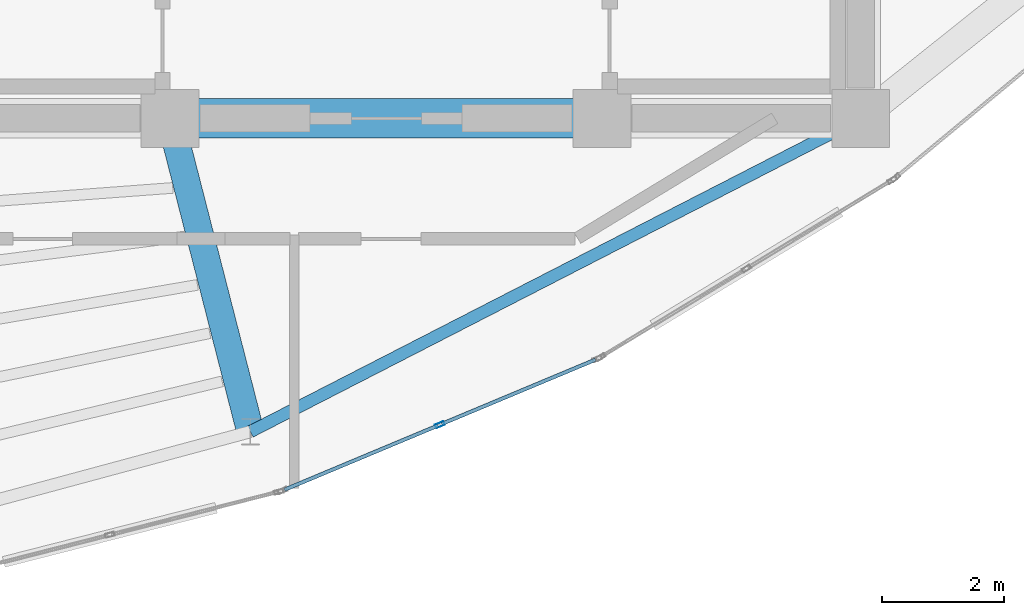
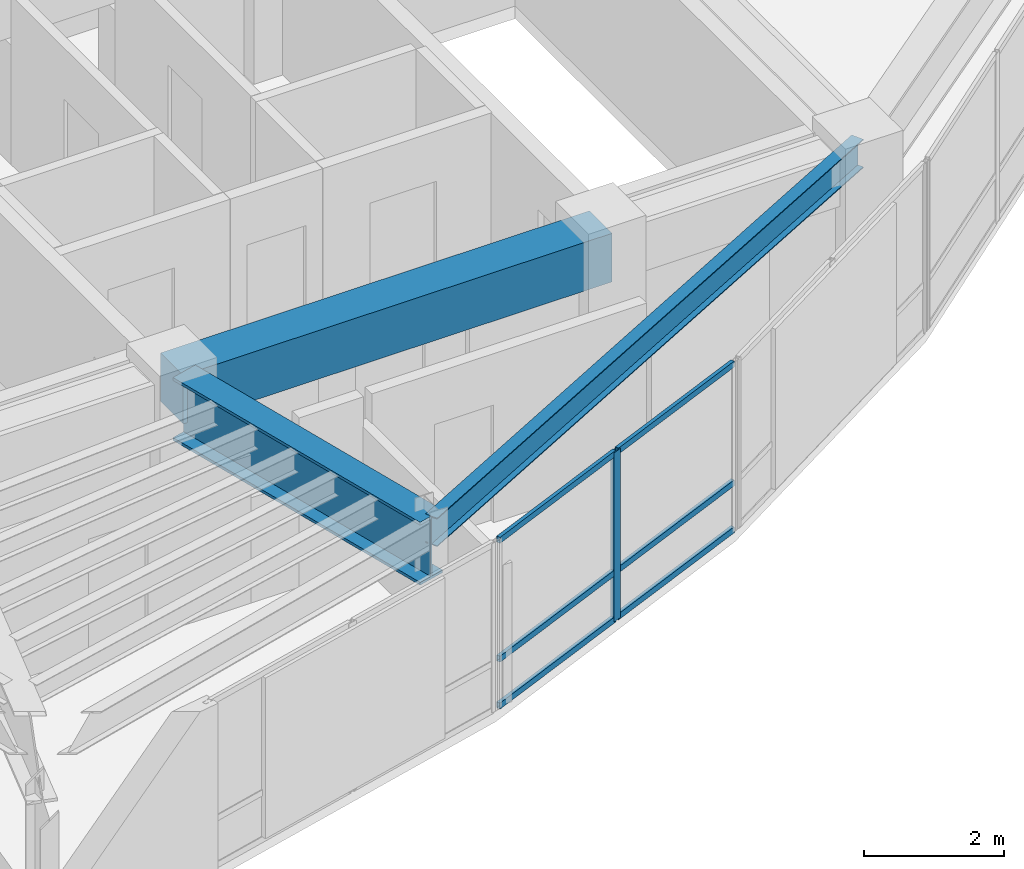
# One storey, part 3 of 13: 7 members, 3 beams, 1 element without a shape of its own.
"""IFC4 building model written with IfcOpenShell, lengths in metres."""

from ifc_helpers import new_model, si_unit, direction, frame, origin, origin_2d, place, context, subcontext, project, spatial, rectangle, hollow_rectangle, i_section, extrude, material, layer, layer_set, material_profile, profile_set, type_object, element, aggregate, save


model = new_model("IFC4")

# Units and contexts
model_context = context("Model", 3, precision=1e-05, world=origin(), true_north=direction((0.0, 1.0)))
body_context = subcontext(model_context, "Body", "Model", "MODEL_VIEW")
ifc_project = project(units=[si_unit("LENGTHUNIT", "METRE"), si_unit("AREAUNIT", "SQUARE_METRE"), si_unit("VOLUMEUNIT", "CUBIC_METRE"), si_unit("PLANEANGLEUNIT", "RADIAN"), si_unit("MASSUNIT", "GRAM", prefix="KILO")], contexts=[model_context])

# Site, building, storey
site_placement = place(None, origin())
site = spatial("IfcSite", under=ifc_project, at=site_placement, CompositionType="ELEMENT")
building_placement = place(site_placement, origin())
building = spatial("IfcBuilding", under=site, at=building_placement, Name="Menara Vayukalpa", CompositionType="ELEMENT")
storey_placement = place(building_placement, frame((0.0, 0.0, 315.219970703125)))
storey = spatial("IfcBuildingStorey", under=building, at=storey_placement, Name="L81", CompositionType="ELEMENT", Elevation=315.219970703125)

# Beams
ifc_material_1 = material(Name="Concrete C60/75", Category="concrete")
ifc_material_profile_1 = material_profile(ifc_material_1, rectangle(XDim=0.64990234375, YDim=0.85009765625, at=origin_2d()), Name="RC 650x850")
ifc_profile_set_1 = profile_set([ifc_material_profile_1], Name="Concrete C60/75")
beam_type_1 = type_object("IfcBeamType", Name="BM-CB1", PredefinedType="BEAM", material=ifc_profile_set_1)
beam_1_placement = place(storey_placement, frame((22.050048828125, 17.199951171875, 2.534912109375), z_axis=(1.0, 0.0, 0.0), x_axis=(0.0, 1.0, 0.0)))
element("IfcBeam", 1, at=beam_1_placement, inside=storey, type_object=beam_type_1, Name="L81 Core Tie Beam CBR2", PredefinedType="BEAM", context=body_context, shape_type="SweptSolid", body=[
    extrude(rectangle(XDim=0.64990234375, YDim=0.85009765625, at=origin_2d()), origin(), (0.0, 0.0, 1.0), 7.099853515625),
])
ifc_material_2 = material(Name="Steel S460", Category="steel")
ifc_material_profile_2 = material_profile(ifc_material_2, i_section(OverallWidth=0.449951171875, OverallDepth=1.10009765625, WebThickness=0.02490234375, FlangeThickness=0.050048828125, at=origin_2d()), Name="WG 1100x450x25x50")
ifc_profile_set_2 = profile_set([ifc_material_profile_2], Name="Steel S460")
beam_type_2 = type_object("IfcBeamType", Name="BM-MTG1", PredefinedType="BEAM", material=ifc_profile_set_2)
beam_2_placement = place(storey_placement, frame((22.112060546875, 16.957763671875, 2.409912109375), z_axis=(0.248427525231, -0.968650486351, 0.0), x_axis=(0.968650486351, 0.248427525231, 0.0)))
element("IfcBeam", 2, at=beam_2_placement, inside=storey, type_object=beam_type_2, Name="L81 Primary Radial Girder RG08", PredefinedType="BEAM", context=body_context, shape_type="SweptSolid", body=[
    extrude(i_section(OverallWidth=0.449951171875, OverallDepth=1.10009765625, WebThickness=0.02490234375, FlangeThickness=0.050048828125, at=origin_2d()), origin(), (0.0, 0.0, 1.0), 5.066162109375),
])
ifc_material_3 = material(Name="Steel S355", Category="steel")
ifc_material_profile_3 = material_profile(ifc_material_3, i_section(OverallWidth=0.199951171875, OverallDepth=0.5, WebThickness=0.010009765625, FlangeThickness=0.01611328125, at=origin_2d()), Name="WF 500x200x10x16")
ifc_profile_set_3 = profile_set([ifc_material_profile_3], Name="Steel S355")
beam_type_3 = type_object("IfcBeamType", Name="BM-SP3", PredefinedType="SPANDREL", material=ifc_profile_set_3)
beam_3_placement = place(storey_placement, frame((23.37060546875, 12.050537109375, 2.7099609375), z_axis=(0.889594604964, 0.456750959297, 0.0), x_axis=(-0.456750959297, 0.889594604964, 0.0)))
element("IfcBeam", 3, at=beam_3_placement, inside=storey, type_object=beam_type_3, Name="L81 Perimeter Spandrel Beam SP08", PredefinedType="SPANDREL", context=body_context, shape_type="SweptSolid", body=[
    extrude(i_section(OverallWidth=0.199951171875, OverallDepth=0.5, WebThickness=0.010009765625, FlangeThickness=0.01611328125, at=origin_2d()), origin(), (0.0, 0.0, 1.0), 11.27392578125),
])

# Curtain wall, members
ifc_material_4 = material(Name="Anodised Terracotta Aluminium Alloy 6063-T6", Category="masonry")
ifc_layer = layer(ifc_material_4, 0.14990234375)
ifc_layer_set = layer_set([ifc_layer], Name="Anodised Terracotta Aluminium Alloy 6063-T6")
curtain_wall_type = type_object("IfcCurtainWallType", Name="CW-CW7", PredefinedType="USERDEFINED", material=ifc_layer_set)
curtain_wall_placement = place(storey_placement, origin())
curtain_wall = element("IfcCurtainWall", 4, at=curtain_wall_placement, inside=storey, type_object=curtain_wall_type, Name="L81 Crown Drum Screened Curtain Wall CW7 16", ObjectType="UNITISED", PredefinedType="USERDEFINED")
ifc_material_5 = material(Name="Anodised Terracotta Aluminium Alloy 6063-T6", Category="masonry")
ifc_material_profile_4 = material_profile(ifc_material_5, hollow_rectangle(XDim=0.06494140625, YDim=0.14990234375, WallThickness=0.00341796875, at=origin_2d()), Name="ALU 65x150x3.5")
ifc_profile_set_4 = profile_set([ifc_material_profile_4], Name="Anodised Terracotta Aluminium Alloy 6063-T6")
member_type_1 = type_object("IfcMemberType", Name="CWM-CW7", PredefinedType="MULLION", material=ifc_profile_set_4)
member_1_placement = place(storey_placement, frame((26.48583984375, 12.16455078125, 0.0), z_axis=(0.0, 0.0, 1.0), x_axis=(-0.385898361946, 0.922541302191, 0.0)))
member_1 = element("IfcMember", 5, at=member_1_placement, type_object=member_type_1, Name="CW7 mullion 2", PredefinedType="MULLION", context=body_context, shape_type="SweptSolid", body=[
    extrude(hollow_rectangle(XDim=0.06494140625, YDim=0.14990234375, WallThickness=0.00341796875, at=origin_2d()), origin(), (0.0, 0.0, 1.0), 2.9599609375),
])
ifc_material_6 = material(Name="Anodised Terracotta Aluminium Alloy 6063-T6", Category="masonry")
ifc_material_profile_5 = material_profile(ifc_material_6, hollow_rectangle(XDim=0.06005859375, YDim=0.10498046875, WallThickness=0.0029296875, at=origin_2d()), Name="ALU 60x105x3")
ifc_profile_set_5 = profile_set([ifc_material_profile_5], Name="Anodised Terracotta Aluminium Alloy 6063-T6")
member_type_2 = type_object("IfcMemberType", Name="CWT-CW7", PredefinedType="USERDEFINED", material=ifc_profile_set_5)
member_2_placement = place(storey_placement, frame((23.929931640625, 11.095458984375, 0.030029296875), z_axis=(0.922532551431, 0.385919281132, 0.0), x_axis=(-0.385919281132, 0.922532551431, 0.0)))
member_2 = element("IfcMember", 6, at=member_2_placement, type_object=member_type_2, Name="CW7 transom 1.1", ObjectType="TRANSOM", PredefinedType="USERDEFINED", context=body_context, shape_type="SweptSolid", body=[
    extrude(hollow_rectangle(XDim=0.06005859375, YDim=0.10498046875, WallThickness=0.0029296875, at=origin_2d()), origin(), (0.0, 0.0, 1.0), 2.738037109375),
])
member_3_placement = place(storey_placement, frame((23.929931640625, 11.095458984375, 0.85009765625), z_axis=(0.922532551431, 0.385919281132, 0.0), x_axis=(-0.385919281132, 0.922532551431, 0.0)))
member_3 = element("IfcMember", 7, at=member_3_placement, type_object=member_type_2, Name="CW7 transom 1.2", ObjectType="TRANSOM", PredefinedType="USERDEFINED", context=body_context, shape_type="SweptSolid", body=[
    extrude(hollow_rectangle(XDim=0.06005859375, YDim=0.10498046875, WallThickness=0.0029296875, at=origin_2d()), origin(), (0.0, 0.0, 1.0), 2.738037109375),
])
member_4_placement = place(storey_placement, frame((23.929931640625, 11.095458984375, 2.929931640625), z_axis=(0.922532551431, 0.385919281132, 0.0), x_axis=(-0.385919281132, 0.922532551431, 0.0)))
member_4 = element("IfcMember", 8, at=member_4_placement, type_object=member_type_2, Name="CW7 transom 1.3", ObjectType="TRANSOM", PredefinedType="USERDEFINED", context=body_context, shape_type="SweptSolid", body=[
    extrude(hollow_rectangle(XDim=0.06005859375, YDim=0.10498046875, WallThickness=0.0029296875, at=origin_2d()), origin(), (0.0, 0.0, 1.0), 2.738037109375),
])
member_5_placement = place(storey_placement, frame((26.515869140625, 12.17724609375, 0.030029296875), z_axis=(0.922532551431, 0.385919281132, 0.0), x_axis=(-0.385919281132, 0.922532551431, 0.0)))
member_5 = element("IfcMember", 9, at=member_5_placement, type_object=member_type_2, Name="CW7 transom 2.1", ObjectType="TRANSOM", PredefinedType="USERDEFINED", context=body_context, shape_type="SweptSolid", body=[
    extrude(hollow_rectangle(XDim=0.06005859375, YDim=0.10498046875, WallThickness=0.0029296875, at=origin_2d()), origin(), (0.0, 0.0, 1.0), 2.738037109375),
])
member_6_placement = place(storey_placement, frame((26.515869140625, 12.17724609375, 0.85009765625), z_axis=(0.922532551431, 0.385919281132, 0.0), x_axis=(-0.385919281132, 0.922532551431, 0.0)))
member_6 = element("IfcMember", 10, at=member_6_placement, type_object=member_type_2, Name="CW7 transom 2.2", ObjectType="TRANSOM", PredefinedType="USERDEFINED", context=body_context, shape_type="SweptSolid", body=[
    extrude(hollow_rectangle(XDim=0.06005859375, YDim=0.10498046875, WallThickness=0.0029296875, at=origin_2d()), origin(), (0.0, 0.0, 1.0), 2.738037109375),
])
member_7_placement = place(storey_placement, frame((26.515869140625, 12.17724609375, 2.929931640625), z_axis=(0.922532551431, 0.385919281132, 0.0), x_axis=(-0.385919281132, 0.922532551431, 0.0)))
member_7 = element("IfcMember", 11, at=member_7_placement, type_object=member_type_2, Name="CW7 transom 2.3", ObjectType="TRANSOM", PredefinedType="USERDEFINED", context=body_context, shape_type="SweptSolid", body=[
    extrude(hollow_rectangle(XDim=0.06005859375, YDim=0.10498046875, WallThickness=0.0029296875, at=origin_2d()), origin(), (0.0, 0.0, 1.0), 2.738037109375),
])
aggregate(curtain_wall, [member_1, member_2, member_3, member_4, member_5, member_6, member_7])

save(model, "model.ifc")
